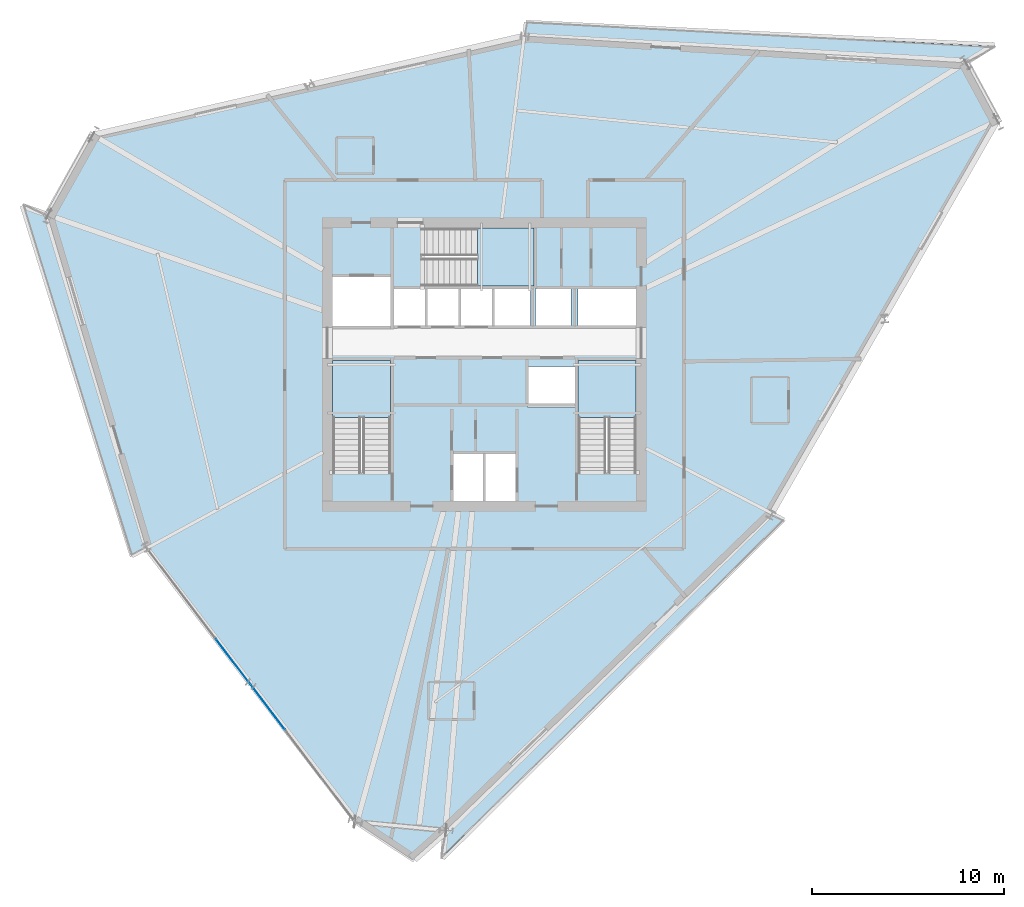
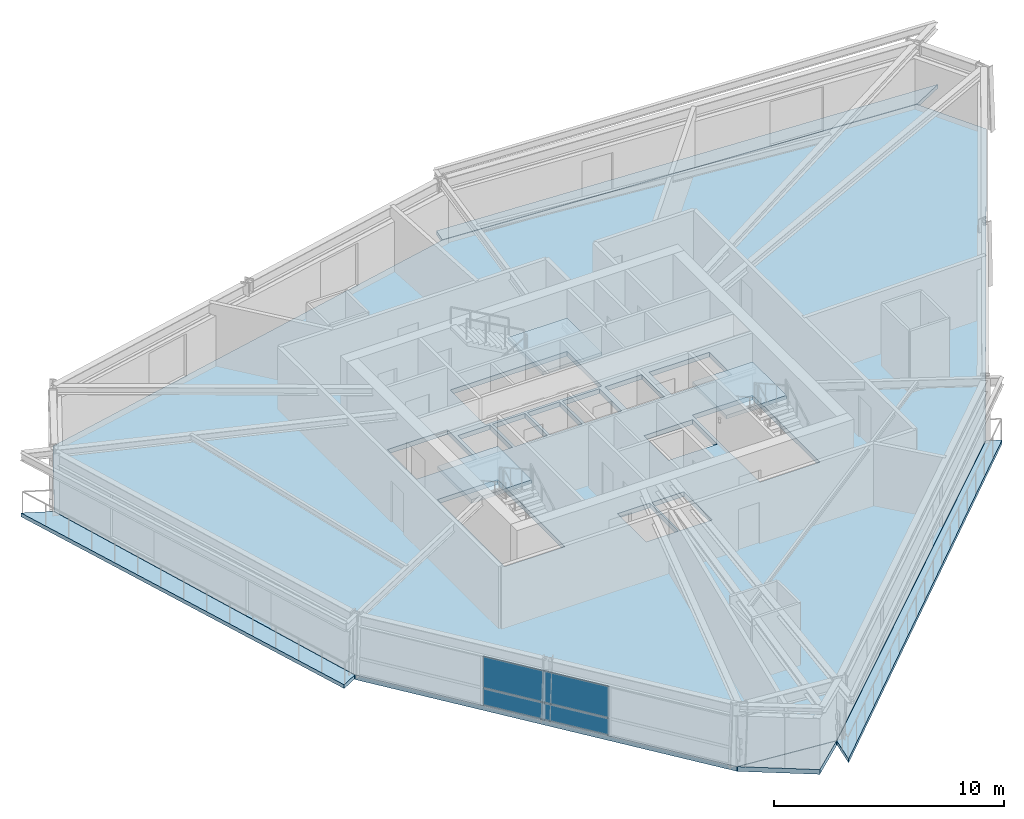
# One storey, part 5 of 14: 8 slabs, 2 plates, 4 elements without a shape of their own.
"""IFC4 building model written with IfcOpenShell, lengths in metres."""

import ifcopenshell
import ifcopenshell.guid

model = None  # the IFC model being written
_history = None  # IfcOwnerHistory: only IFC2X3 demands one
_inside = {}  # id of a spatial element -> (the spatial element, [elements in it])
_under = {}  # id of a project, library or spatial element -> (it, [spatial elements below it])
_declared = {}  # id of a project -> (the project, [libraries it declares])
_typed = {}  # id of a type object -> (the type object, [elements of that type])
_made_of = {}  # id of a material, layer set ... -> (it, [elements and type objects made of it])


def new_model(schema):
    """Start an empty IFC model of exactly this schema.

    Asked for "IFC4X3", IfcOpenShell would pick the latest addendum, in which some entities
    have other attributes; the version numbers below select the first issue.
    IFC2X3 requires an IfcOwnerHistory on every rooted entity: one is made here for all.
    """
    global model, _history
    if schema == "IFC4X3":
        model = ifcopenshell.file(schema_version=(4, 3, 0, 0))
    else:
        model = ifcopenshell.file(schema=schema)
    _inside.clear()
    _under.clear()
    _declared.clear()
    _typed.clear()
    _made_of.clear()
    _history = None
    if model.schema == "IFC2X3":
        org = make("IfcOrganization", Name="unknown")
        user = make(
            "IfcPersonAndOrganization",
            ThePerson=make("IfcPerson", FamilyName="unknown"),
            TheOrganization=org,
        )
        app = make(
            "IfcApplication",
            ApplicationDeveloper=org,
            Version="unknown",
            ApplicationFullName="unknown",
            ApplicationIdentifier="unknown",
        )
        _history = make(
            "IfcOwnerHistory",
            OwningUser=user,
            OwningApplication=app,
            ChangeAction="ADDED",
            CreationDate=0,
        )
    return model


def make(cls, **values):
    """One entity of the class cls with the attributes given. An attribute that is None is left unset."""
    return model.create_entity(
        cls, **{name: value for name, value in values.items() if value is not None}
    )


def rooted(cls, **values):
    """An entity with a GlobalId (a new one), such as an element, a storey or a relation."""
    return make(cls, GlobalId=ifcopenshell.guid.new(), OwnerHistory=_history, **values)


def si_unit(unit_type, name, prefix=None):
    """IfcSIUnit, for example si_unit("LENGTHUNIT", "METRE", prefix="MILLI")."""
    return make("IfcSIUnit", UnitType=unit_type, Prefix=prefix, Name=name)


def assignment(units):
    """IfcUnitAssignment: the units of a project."""
    return None if units is None else make("IfcUnitAssignment", Units=units)


def point(xyz):
    """IfcCartesianPoint."""
    return None if xyz is None else make("IfcCartesianPoint", Coordinates=xyz)


def direction(xyz):
    """IfcDirection."""
    return None if xyz is None else make("IfcDirection", DirectionRatios=xyz)


def frame(location, z_axis=None, x_axis=None):
    """IfcAxis2Placement3D, a coordinate frame: its origin and axes. An axis left out is left unset."""
    return make(
        "IfcAxis2Placement3D",
        Location=point(location),
        Axis=direction(z_axis),
        RefDirection=direction(x_axis),
    )


def frame_2d(location, x_axis=None):
    """IfcAxis2Placement2D, a coordinate frame in the plane: its origin and x axis."""
    return make(
        "IfcAxis2Placement2D", Location=point(location), RefDirection=direction(x_axis)
    )


def origin():
    """The frame at (0, 0, 0) with its axes left unset."""
    return frame((0.0, 0.0, 0.0))


def origin_2d():
    """The frame at (0, 0) in the plane with its x axis left unset."""
    return frame_2d((0.0, 0.0))


def place(relative_to, where):
    """IfcLocalPlacement: puts the frame where relative to a parent placement (None: the world)."""
    return make(
        "IfcLocalPlacement", PlacementRelTo=relative_to, RelativePlacement=where
    )


def context(
    kind, dimensions, precision=None, world=None, true_north=None, identifier=None
):
    """IfcGeometricRepresentationContext, for example the 3D "Model" context."""
    return make(
        "IfcGeometricRepresentationContext",
        ContextIdentifier=identifier,
        ContextType=kind,
        CoordinateSpaceDimension=dimensions,
        Precision=precision,
        WorldCoordinateSystem=world,
        TrueNorth=true_north,
    )


def subcontext(parent, identifier, kind, view, scale=None):
    """IfcGeometricRepresentationSubContext, for example "Body" below "Model"."""
    return make(
        "IfcGeometricRepresentationSubContext",
        ContextIdentifier=identifier,
        ContextType=kind,
        ParentContext=parent,
        TargetScale=scale,
        TargetView=view,
    )


def project(units=None, contexts=None):
    """IfcProject with its units and contexts."""
    return rooted(
        "IfcProject",
        Name="project",
        RepresentationContexts=contexts,
        UnitsInContext=assignment(units),
    )


def spatial(cls, under=None, at=None, **own):
    """A site, building, storey or space (cls), placed at a placement, below another one or the project."""
    s = rooted(cls, ObjectPlacement=at, **own)
    if under is not None:
        _under.setdefault(under.id(), (under, []))[1].append(s)
    return s


def polyline(points):
    """IfcPolyline through the points."""
    return make("IfcPolyline", Points=[point(p) for p in points])


def profile(cls, at=None, kind="AREA", **sizes):
    """A parametric profile (cls). Its sizes go by their IFC names, for example OverallWidth=200.0."""
    return make(cls, ProfileType=kind, Position=at, **sizes)


def rectangle(**sizes):
    """IfcRectangleProfileDef."""
    return profile("IfcRectangleProfileDef", **sizes)


def outline(outer, holes=None, kind="AREA"):
    """IfcArbitraryClosedProfileDef: a profile drawn as a closed curve; with holes, ...WithVoids."""
    if holes is None:
        return make("IfcArbitraryClosedProfileDef", ProfileType=kind, OuterCurve=outer)
    return make(
        "IfcArbitraryProfileDefWithVoids",
        ProfileType=kind,
        OuterCurve=outer,
        InnerCurves=holes,
    )


def extrude(swept, where, along, depth):
    """IfcExtrudedAreaSolid: the profile swept, set in the frame where, extruded along a direction by depth."""
    return make(
        "IfcExtrudedAreaSolid",
        SweptArea=swept,
        Position=where,
        ExtrudedDirection=direction(along),
        Depth=depth,
    )


def shape(context_of_items, identifier, shape_type, items):
    """IfcShapeRepresentation: the items that make up one representation, for example the "Body"."""
    return make(
        "IfcShapeRepresentation",
        ContextOfItems=context_of_items,
        RepresentationIdentifier=identifier,
        RepresentationType=shape_type,
        Items=items,
    )


def source(mapping_origin, context_of_items, identifier, shape_type, items):
    """IfcRepresentationMap: a shape defined once, which mapped items show again and again."""
    return make(
        "IfcRepresentationMap",
        MappingOrigin=mapping_origin,
        MappedRepresentation=shape(context_of_items, identifier, shape_type, items),
    )


def transform(
    local_origin,
    x_axis=None,
    y_axis=None,
    z_axis=None,
    scale=None,
    scale2=None,
    scale3=None,
    uniform=True,
):
    """IfcCartesianTransformationOperator3D, or its non-uniform kind. x_axis, y_axis, z_axis: its Axis1, 2, 3."""
    if uniform:
        return make(
            "IfcCartesianTransformationOperator3D",
            Axis1=direction(x_axis),
            Axis2=direction(y_axis),
            LocalOrigin=point(local_origin),
            Scale=scale,
            Axis3=direction(z_axis),
        )
    return make(
        "IfcCartesianTransformationOperator3DnonUniform",
        Axis1=direction(x_axis),
        Axis2=direction(y_axis),
        LocalOrigin=point(local_origin),
        Scale=scale,
        Axis3=direction(z_axis),
        Scale2=scale2,
        Scale3=scale3,
    )


def mapped(mapping_source, mapping_target):
    """IfcMappedItem: shows the shape of a source again, moved by a transform."""
    return make(
        "IfcMappedItem", MappingSource=mapping_source, MappingTarget=mapping_target
    )


def material(Name=None, Category=None):
    """IfcMaterial."""
    return make("IfcMaterial", Name=Name, Category=Category)


def layer(
    of_material, thickness, ventilated=None, Name=None, Category=None, Priority=None
):
    """IfcMaterialLayer: one layer of a wall or slab, of a material (None: an air gap)."""
    return make(
        "IfcMaterialLayer",
        Material=of_material,
        LayerThickness=thickness,
        IsVentilated=ventilated,
        Name=Name,
        Category=Category,
        Priority=Priority,
    )


def layer_set(layers, Name=None):
    """IfcMaterialLayerSet."""
    return make("IfcMaterialLayerSet", MaterialLayers=layers, LayerSetName=Name)


def made_of(thing, what):
    """Note that an element or type object is made of a material, layer set ...; save() writes the relation."""
    if what is not None:
        _made_of.setdefault(what.id(), (what, []))[1].append(thing)
    return thing


def type_object(cls, material=None, **own):
    """A type object (cls), such as IfcWallType, which elements share."""
    return made_of(rooted(cls, **own), material)


def element(
    cls,
    number,
    at=None,
    inside=None,
    cuts=None,
    type_object=None,
    material=None,
    context=None,
    identifier="Body",
    shape_type=None,
    held_by="IfcProductDefinitionShape",
    body=None,
    shapes=None,
    **own,
):
    """One element of the class cls, such as IfcWall. Its Tag is "e" and its number.

    at: its placement. inside: the storey or other place that contains it. cuts: it is an
    opening in that element (IfcRelVoidsElement). A single representation is given by context,
    identifier, shape_type and body (its items); several are given by shapes. held_by: the class
    of the entity that holds the representations. save() writes the other relations.
    """
    e = rooted(cls, Tag="e%d" % number, ObjectPlacement=at, **own)
    if body is not None:
        shapes = [shape(context, identifier, shape_type, body)]
    if shapes is not None:
        e.Representation = make(held_by, Representations=shapes)
    if inside is not None:
        _inside.setdefault(inside.id(), (inside, []))[1].append(e)
    if cuts is not None:
        rooted(
            "IfcRelVoidsElement", RelatingBuildingElement=cuts, RelatedOpeningElement=e
        )
    if type_object is not None:
        _typed.setdefault(type_object.id(), (type_object, []))[1].append(e)
    return made_of(e, material)


def aggregate(whole, parts):
    """IfcRelAggregates: a whole, such as a stair, and the parts it consists of."""
    return rooted("IfcRelAggregates", RelatingObject=whole, RelatedObjects=parts)


def save(model, path):
    """Write the relations noted so far, then the file.

    IfcRelAggregates (storeys below a building ...), IfcRelContainedInSpatialStructure (elements
    in a storey), IfcRelDefinesByType, IfcRelAssociatesMaterial and IfcRelDeclares: one each for
    every whole, place, type object, material and project.
    """
    for whole, parts in _under.values():
        aggregate(whole, parts)
    for where, things in _inside.values():
        rooted(
            "IfcRelContainedInSpatialStructure",
            RelatedElements=things,
            RelatingStructure=where,
        )
    for kind, things in _typed.values():
        rooted("IfcRelDefinesByType", RelatedObjects=things, RelatingType=kind)
    for what, things in _made_of.values():
        rooted("IfcRelAssociatesMaterial", RelatedObjects=things, RelatingMaterial=what)
    for by, libraries in _declared.values():
        rooted("IfcRelDeclares", RelatingContext=by, RelatedDefinitions=libraries)
    model.write(path)


model = new_model("IFC4")

# Units and contexts
model_context = context("Model", 3, precision=1e-05, world=origin(), true_north=direction((0.0, 1.0)))
body_context = subcontext(model_context, "Body", "Model", "MODEL_VIEW")
ifc_project = project(units=[si_unit("LENGTHUNIT", "METRE"), si_unit("AREAUNIT", "SQUARE_METRE"), si_unit("VOLUMEUNIT", "CUBIC_METRE"), si_unit("PLANEANGLEUNIT", "RADIAN"), si_unit("MASSUNIT", "GRAM", prefix="KILO")], contexts=[model_context])

# Site, building, storey
site_placement = place(None, origin())
site = spatial("IfcSite", under=ifc_project, at=site_placement, CompositionType="ELEMENT")
building_placement = place(site_placement, origin())
building = spatial("IfcBuilding", under=site, at=building_placement, Name="Olszyna Solenne Hotel", CompositionType="ELEMENT")
storey_placement = place(building_placement, frame((0.0, 0.0, 153.699951171875)))
storey = spatial("IfcBuildingStorey", under=building, at=storey_placement, Name="L40", CompositionType="ELEMENT", Elevation=153.699951171875)

# Stair, slab
ifc_material_1 = material(Name="Concrete C40/50", Category="concrete")
stair_type = type_object("IfcStairType", Name="STR-C1", PredefinedType="TWO_QUARTER_WINDING_STAIR", material=ifc_material_1)
stair_1_placement = place(storey_placement, origin())
stair_1 = element("IfcStair", 1, at=stair_1_placement, inside=storey, type_object=stair_type, Name="L40 ST1", PredefinedType="TWO_QUARTER_WINDING_STAIR")
ifc_layer_1 = layer(ifc_material_1, 0.18994140625, Name="Concrete C40/50")
ifc_layer_set_1 = layer_set([ifc_layer_1], Name="Concrete C40/50")
slab_type_1 = type_object("IfcSlabType", Name="SL-LN190", PredefinedType="LANDING", material=ifc_layer_set_1)
slab_1_placement = place(storey_placement, frame((0.0, 0.0, 1.574951171875)))
slab_1 = element("IfcSlab", 2, at=slab_1_placement, type_object=slab_type_1, Name="ST1 landing 1", PredefinedType="LANDING", context=body_context, shape_type="SweptSolid", body=[
    extrude(outline(polyline([(33.1201171875, 23.85009765625), (33.1201171875, 26.800048828125), (30.10009765625, 26.800048828125), (30.10009765625, 23.85009765625), (33.1201171875, 23.85009765625)])), origin(), (0.0, 0.0, 1.0), 0.2001953125),
])
aggregate(stair_1, [slab_1])

stair_2_placement = place(storey_placement, origin())
stair_2 = element("IfcStair", 3, at=stair_2_placement, inside=storey, type_object=stair_type, Name="L40 ST2", PredefinedType="TWO_QUARTER_WINDING_STAIR")
slab_2_placement = place(storey_placement, frame((0.0, 0.0, 1.574951171875)))
slab_2 = element("IfcSlab", 4, at=slab_2_placement, type_object=slab_type_1, Name="ST2 landing 1", PredefinedType="LANDING", context=body_context, shape_type="SweptSolid", body=[
    extrude(outline(polyline([(45.89990234375, 23.85009765625), (45.89990234375, 26.800048828125), (42.8798828125, 26.800048828125), (42.8798828125, 23.85009765625), (45.89990234375, 23.85009765625)])), origin(), (0.0, 0.0, 1.0), 0.2001953125),
])
aggregate(stair_2, [slab_2])

stair_3_placement = place(storey_placement, origin())
stair_3 = element("IfcStair", 5, at=stair_3_placement, inside=storey, type_object=stair_type, Name="L40 ST3", PredefinedType="TWO_QUARTER_WINDING_STAIR")
slab_3_placement = place(storey_placement, frame((0.0, 0.0, 1.574951171875)))
slab_3 = element("IfcSlab", 6, at=slab_3_placement, type_object=slab_type_1, Name="ST3 landing 1", PredefinedType="LANDING", context=body_context, shape_type="SweptSolid", body=[
    extrude(outline(polyline([(37.6298828125, 30.679931640625), (40.580078125, 30.679931640625), (40.580078125, 33.699951171875), (37.6298828125, 33.699951171875), (37.6298828125, 30.679931640625)])), origin(), (0.0, 0.0, 1.0), 0.2001953125),
])
aggregate(stair_3, [slab_3])

# Slabs
ifc_material_2 = material(Name="Precast concrete C45/55", Category="concrete")
ifc_layer_2 = layer(ifc_material_2, 0.199951171875, Name="Precast concrete C45/55")
ifc_layer_set_2 = layer_set([ifc_layer_2], Name="Precast concrete C45/55")
slab_type_2 = type_object("IfcSlabType", Name="SL-LOG200", PredefinedType="FLOOR", material=ifc_layer_set_2)
slab_4_placement = place(storey_placement, frame((0.0, 0.0, -0.199951171875)))
element("IfcSlab", 7, at=slab_4_placement, inside=storey, type_object=slab_type_2, Name="Exterior loggia balcony slab SL-L40-LG1", PredefinedType="FLOOR", context=body_context, shape_type="SweptSolid", body=[
    extrude(outline(polyline([(40.112548828125, 43.71875), (63.08203125, 42.3212890625), (63.08349609375, 42.3212890625), (63.085205078125, 42.32080078125), (63.086669921875, 42.3203125), (63.087890625, 42.31982421875), (63.08935546875, 42.319091796875), (63.090576171875, 42.318115234375), (63.091796875, 42.317138671875), (63.0927734375, 42.31591796875), (63.093505859375, 42.314697265625), (63.094482421875, 42.313720703125), (64.645263671875, 43.158203125), (40.23583984375, 44.439697265625), (40.112548828125, 43.71875)])), origin(), (0.0, 0.0, 1.0), 0.199951171875),
])
slab_5_placement = place(storey_placement, frame((0.0, 0.0, -0.199951171875)))
element("IfcSlab", 8, at=slab_5_placement, inside=storey, type_object=slab_type_2, Name="Exterior loggia balcony slab SL-L40-LG2", PredefinedType="FLOOR", context=body_context, shape_type="SweptSolid", body=[
    extrude(outline(polyline([(20.353271484375, 17.097412109375), (20.35302734375, 17.097900390625), (20.3525390625, 17.09912109375), (20.35205078125, 17.100341796875), (15.234130859375, 34.3408203125), (15.23388671875, 34.34228515625), (15.233642578125, 34.343994140625), (15.233642578125, 34.345458984375), (15.233642578125, 34.346923828125), (15.23388671875, 34.348388671875), (15.234375, 34.349853515625), (15.23486328125, 34.351318359375), (15.235107421875, 34.3515625), (13.935791015625, 34.96533203125), (19.58447265625, 16.678955078125), (20.353271484375, 17.097412109375)])), origin(), (0.0, 0.0, 1.0), 0.199951171875),
])
slab_6_placement = place(storey_placement, frame((0.0, 0.0, -0.199951171875)))
element("IfcSlab", 9, at=slab_6_placement, inside=storey, type_object=slab_type_2, Name="Exterior loggia balcony slab SL-L40-LG3", PredefinedType="FLOOR", context=body_context, shape_type="SweptSolid", body=[
    extrude(outline(polyline([(52.94140625, 18.754150390625), (52.940673828125, 18.753173828125), (52.93994140625, 18.751953125), (52.939208984375, 18.750732421875), (52.93798828125, 18.749755859375), (35.99658203125, 2.32275390625), (35.99609375, 2.322265625), (35.982177734375, 2.309814453125), (35.734619140625, 0.86181640625), (53.583984375, 18.450439453125), (52.94140625, 18.754150390625)])), origin(), (0.0, 0.0, 1.0), 0.199951171875),
])
ifc_material_3 = material(Name="Concrete C50/60", Category="concrete")
ifc_layer_3 = layer(ifc_material_3, 0.25, Name="Concrete C50/60")
ifc_layer_set_3 = layer_set([ifc_layer_3], Name="Concrete C50/60")
slab_type_3 = type_object("IfcSlabType", Name="SL-TW250", PredefinedType="FLOOR", material=ifc_layer_set_3)
slab_7_placement = place(storey_placement, frame((0.0, 0.0, -0.25)))
element("IfcSlab", 10, at=slab_7_placement, inside=storey, type_object=slab_type_3, Name="Floor slab SL-TW250 SL-L40-01", PredefinedType="FLOOR", context=body_context, shape_type="SweptSolid", body=[
    extrude(outline(polyline([(64.7685546875, 39.1728515625), (63.081298828125, 42.306396484375), (40.110107421875, 43.703857421875), (17.65869140625, 38.64892578125), (15.24853515625, 34.34521484375), (20.366455078125, 17.104736328125), (31.2568359375, 2.79296875), (35.986083984375, 2.33349609375), (52.927734375, 18.760498046875), (64.7685546875, 39.1728515625)]), holes=[polyline([(30.10009765625, 20.949951171875), (33.1201171875, 20.949951171875), (33.1201171875, 26.800048828125), (30.10009765625, 26.800048828125), (30.10009765625, 20.949951171875)]), polyline([(42.8798828125, 20.949951171875), (45.89990234375, 20.949951171875), (45.89990234375, 26.800048828125), (42.8798828125, 26.800048828125), (42.8798828125, 20.949951171875)]), polyline([(34.72998046875, 30.679931640625), (40.580078125, 30.679931640625), (40.580078125, 33.699951171875), (34.72998046875, 33.699951171875), (34.72998046875, 30.679931640625)]), polyline([(36.340087890625, 19.5), (37.9599609375, 19.5), (37.9599609375, 21.9599609375), (36.340087890625, 21.9599609375), (36.340087890625, 19.5)]), polyline([(38.0400390625, 19.5), (39.659912109375, 19.5), (39.659912109375, 21.9599609375), (38.0400390625, 21.9599609375), (38.0400390625, 19.5)]), polyline([(30.10009765625, 28.60009765625), (33.1201171875, 28.60009765625), (33.1201171875, 31.159912109375), (30.10009765625, 31.159912109375), (30.10009765625, 28.60009765625)]), polyline([(40.280029296875, 24.360107421875), (42.719970703125, 24.360107421875), (42.719970703125, 26.5), (40.280029296875, 26.5), (40.280029296875, 24.360107421875)]), polyline([(33.280029296875, 28.60009765625), (34.89990234375, 28.60009765625), (34.89990234375, 30.550048828125), (33.280029296875, 30.550048828125), (33.280029296875, 28.60009765625)]), polyline([(35.030029296875, 28.60009765625), (36.64990234375, 28.60009765625), (36.64990234375, 30.550048828125), (35.030029296875, 30.550048828125), (35.030029296875, 28.60009765625)]), polyline([(36.780029296875, 28.60009765625), (38.39990234375, 28.60009765625), (38.39990234375, 30.550048828125), (36.780029296875, 30.550048828125), (36.780029296875, 28.60009765625)]), polyline([(38.530029296875, 28.60009765625), (40.389892578125, 28.60009765625), (40.389892578125, 30.550048828125), (38.530029296875, 30.550048828125), (38.530029296875, 28.60009765625)]), polyline([(40.659912109375, 28.60009765625), (42.52001953125, 28.60009765625), (42.52001953125, 30.550048828125), (40.659912109375, 30.550048828125), (40.659912109375, 28.60009765625)]), polyline([(42.8798828125, 28.60009765625), (45.89990234375, 28.60009765625), (45.89990234375, 30.550048828125), (42.8798828125, 30.550048828125), (42.8798828125, 28.60009765625)])]), origin(), (0.0, 0.0, 1.0), 0.25),
])
slab_8_placement = place(storey_placement, frame((0.0, 0.0, -0.25)))
element("IfcSlab", 11, at=slab_8_placement, inside=storey, type_object=slab_type_3, Name="Faceted glass-prism floor slab SL-L40-PR", PredefinedType="FLOOR", context=body_context, shape_type="SweptSolid", body=[
    extrude(outline(polyline([(35.975830078125, 2.324462890625), (31.274658203125, 2.78125), (34.256103515625, 0.800048828125), (35.975830078125, 2.324462890625)])), origin(), (0.0, 0.0, 1.0), 0.25),
])

# Curtain wall, plates
ifc_material_4 = material(Name="Anodised bronze aluminium", Category="aluminium")
curtain_wall_type = type_object("IfcCurtainWallType", Name="CW-SYS-4", PredefinedType="NOTDEFINED", material=ifc_material_4)
curtain_wall_placement = place(storey_placement, origin())
curtain_wall = element("IfcCurtainWall", 12, at=curtain_wall_placement, inside=storey, type_object=curtain_wall_type, Name="Unitised curtain wall CW-SYS-4 CW-L40-01", PredefinedType="NOTDEFINED")
ifc_material_5 = material(Name="Terracotta cladding", Category="masonry")
plate_type_1 = type_object("IfcPlateType", Name="PN-SP1", PredefinedType="CURTAIN_PANEL", material=ifc_material_5)
shared_shape_1 = source(origin(), body_context, "Body", "SweptSolid", [
    extrude(rectangle(XDim=5.9296875, YDim=0.035888671875, at=origin_2d()), origin(), (0.0, 0.0, 1.0), 0.8525390625),
])
plate_1_placement = place(storey_placement, frame((25.811767578125, 9.94873046875, 0.06494140625), z_axis=(0.0, 0.0, 1.0), x_axis=(0.605559268992, -0.795800208431, 0.0)))
plate_1 = element("IfcPlate", 13, at=plate_1_placement, type_object=plate_type_1, Name="Curtain-wall panel PN-SP1 CP-L40-01-03", PredefinedType="CURTAIN_PANEL", context=body_context, shape_type="MappedRepresentation", body=[
    mapped(shared_shape_1, transform((0.0, 0.0, 0.0), x_axis=(1.0, 0.0, 0.0), y_axis=(0.0, 1.0, 0.0), z_axis=(0.0, 0.0, 1.0), scale=1.0)),
])
ifc_material_6 = material(Name="Low-E triple glazing", Category="glass")
plate_type_2 = type_object("IfcPlateType", Name="PN-GL1", PredefinedType="CURTAIN_PANEL", material=ifc_material_6)
shared_shape_2 = source(origin(), body_context, "Body", "SweptSolid", [
    extrude(rectangle(XDim=5.9296875, YDim=0.035888671875, at=origin_2d()), origin(), (0.0, 0.0, 1.0), 1.64453125),
])
plate_2_placement = place(storey_placement, frame((25.811767578125, 9.94873046875, 0.982421875), z_axis=(0.0, 0.0, 1.0), x_axis=(0.605559268992, -0.795800208431, 0.0)))
plate_2 = element("IfcPlate", 14, at=plate_2_placement, type_object=plate_type_2, Name="Curtain-wall panel PN-GL1 CP-L40-01-04", PredefinedType="CURTAIN_PANEL", context=body_context, shape_type="MappedRepresentation", body=[
    mapped(shared_shape_2, transform((0.0, 0.0, 0.0), x_axis=(1.0, 0.0, 0.0), y_axis=(0.0, 1.0, 0.0), z_axis=(0.0, 0.0, 1.0), scale=1.0)),
])
aggregate(curtain_wall, [plate_1, plate_2])

save(model, "model.ifc")
